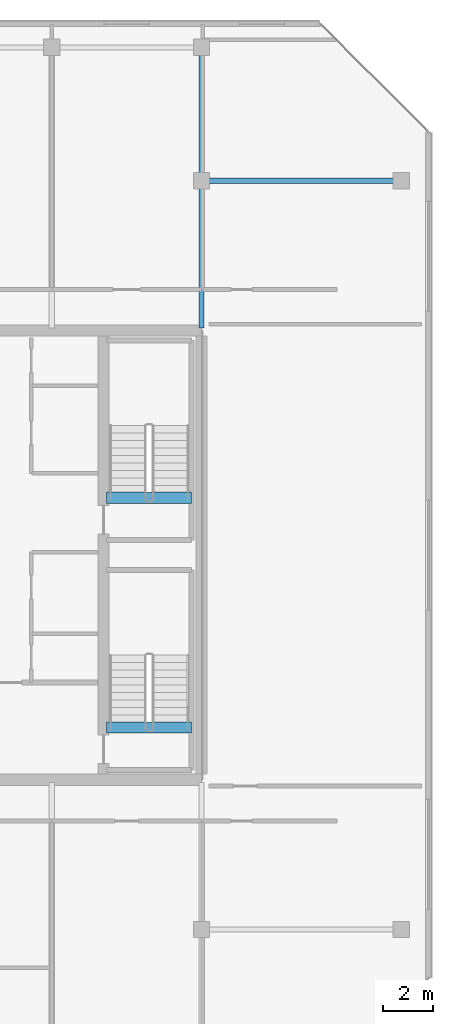
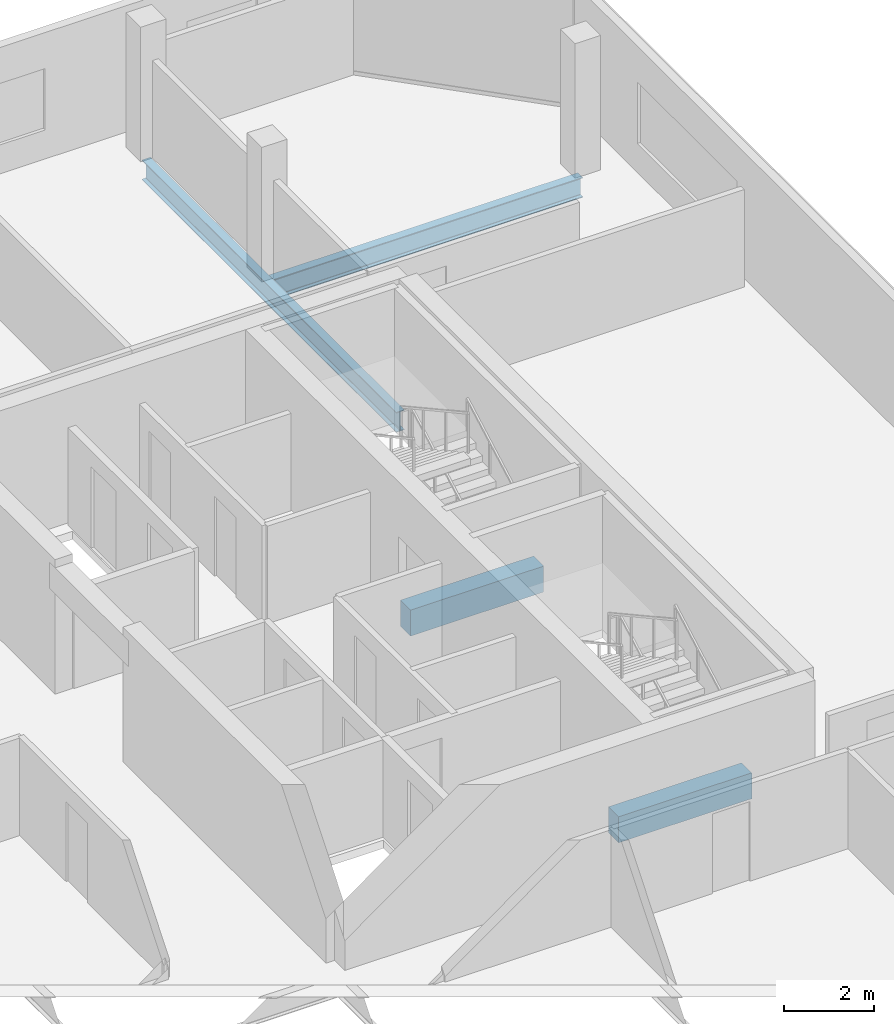
# One storey, part 17 of 28: 4 beams.
"""IFC4 building model written with IfcOpenShell, lengths in metres."""

from ifc_helpers import new_model, si_unit, direction, frame, origin, origin_2d, place, context, subcontext, project, spatial, rectangle, i_section, extrude, material, material_profile, profile_set, type_object, element, save


model = new_model("IFC4")

# Units and contexts
model_context = context("Model", 3, precision=1e-05, world=origin(), true_north=direction((0.0, 1.0)))
body_context = subcontext(model_context, "Body", "Model", "MODEL_VIEW")
ifc_project = project(units=[si_unit("LENGTHUNIT", "METRE"), si_unit("AREAUNIT", "SQUARE_METRE"), si_unit("VOLUMEUNIT", "CUBIC_METRE"), si_unit("PLANEANGLEUNIT", "RADIAN"), si_unit("MASSUNIT", "GRAM", prefix="KILO")], contexts=[model_context])

# Site, building, storey
site_placement = place(None, origin())
site = spatial("IfcSite", under=ifc_project, at=site_placement, CompositionType="ELEMENT")
building_placement = place(site_placement, origin())
building = spatial("IfcBuilding", under=site, at=building_placement, Name="Tanjung Sevakor Pilgrim Tower", CompositionType="ELEMENT")
storey_placement = place(building_placement, frame((0.0, 0.0, 249.81005859375)))
storey = spatial("IfcBuildingStorey", under=building, at=storey_placement, Name="L70", CompositionType="ELEMENT", Elevation=249.81005859375)

# Beams
ifc_material_1 = material(Name="Steel S355J2", Category="steel")
ifc_material_profile_1 = material_profile(ifc_material_1, i_section(OverallWidth=0.2119140625, OverallDepth=0.54443359375, WebThickness=0.0126953125, FlangeThickness=0.021240234375, FilletRadius=0.0126953125, at=origin_2d()))
ifc_profile_set_1 = profile_set([ifc_material_profile_1], Name="Steel S355J2")
beam_type_1 = type_object("IfcBeamType", Name="BM-B-G5-UB_533x210x122", PredefinedType="BEAM", material=ifc_profile_set_1)
beam_1_placement = place(storey_placement, frame((90.0, 48.60009765625, -0.492431640625), z_axis=(1.0, 0.0, 0.0), x_axis=(0.0, 1.0, 0.0)))
element("IfcBeam", 1, at=beam_1_placement, inside=storey, type_object=beam_type_1, Name="L70 East Peak Wing Girder Y48.6", PredefinedType="BEAM", context=body_context, shape_type="SweptSolid", body=[
    extrude(i_section(OverallWidth=0.2119140625, OverallDepth=0.54443359375, WebThickness=0.0126953125, FlangeThickness=0.021240234375, FilletRadius=0.0126953125, at=origin_2d()), origin(), (0.0, 0.0, 1.0), 8.0),
])
ifc_material_2 = material(Name="Steel S355J2", Category="steel")
ifc_material_profile_2 = material_profile(ifc_material_2, i_section(OverallWidth=0.210693359375, OverallDepth=0.53955078125, WebThickness=0.01171875, FlangeThickness=0.018798828125, FilletRadius=0.0126953125, at=origin_2d()))
ifc_profile_set_2 = profile_set([ifc_material_profile_2], Name="Steel S355J2")
beam_type_2 = type_object("IfcBeamType", Name="BM-B-G6-UB_533x210x109", PredefinedType="BEAM", material=ifc_profile_set_2)
beam_2_placement = place(storey_placement, frame((90.0, 42.7060546875, -0.48974609375), z_axis=(0.0, 1.0, 0.0), x_axis=(-1.0, 0.0, 0.0)))
element("IfcBeam", 2, at=beam_2_placement, inside=storey, type_object=beam_type_2, Name="L70 EAST Girder 010", PredefinedType="BEAM", context=body_context, shape_type="SweptSolid", body=[
    extrude(i_section(OverallWidth=0.210693359375, OverallDepth=0.53955078125, WebThickness=0.01171875, FlangeThickness=0.018798828125, FilletRadius=0.0126953125, at=origin_2d()), origin(), (0.0, 0.0, 1.0), 11.243896484375),
])
ifc_material_3 = material(Name="Concrete C60/75", Category="concrete")
ifc_material_profile_3 = material_profile(ifc_material_3, rectangle(XDim=0.449951171875, YDim=0.699951171875, at=origin_2d()))
ifc_profile_set_3 = profile_set([ifc_material_profile_3], Name="Concrete C60/75")
beam_type_3 = type_object("IfcBeamType", Name="BM-B-LN3-RC-BM_450x700", PredefinedType="LINTEL", material=ifc_profile_set_3)
for number, where, z_axis, x_axis, name in (
    (3, (86.199951171875, 26.699951171875, -0.35009765625), (1.0, 0.0, 0.0), (0.0, 1.0, 0.0), "L70 TS-E1 Stair Threshold Beam"),
    (4, (86.199951171875, 35.89990234375, -0.35009765625), (1.0, 0.0, 0.0), (0.0, 1.0, 0.0), "L70 TS-E2 Stair Threshold Beam"),
):
    element("IfcBeam", number, at=place(storey_placement, frame(where, z_axis=z_axis, x_axis=x_axis)), inside=storey, type_object=beam_type_3, Name=name, PredefinedType="LINTEL", context=body_context, shape_type="SweptSolid", body=[
        extrude(rectangle(XDim=0.449951171875, YDim=0.699951171875, at=origin_2d()), origin(), (0.0, 0.0, 1.0), 3.400146484375),
    ])

save(model, "model.ifc")
